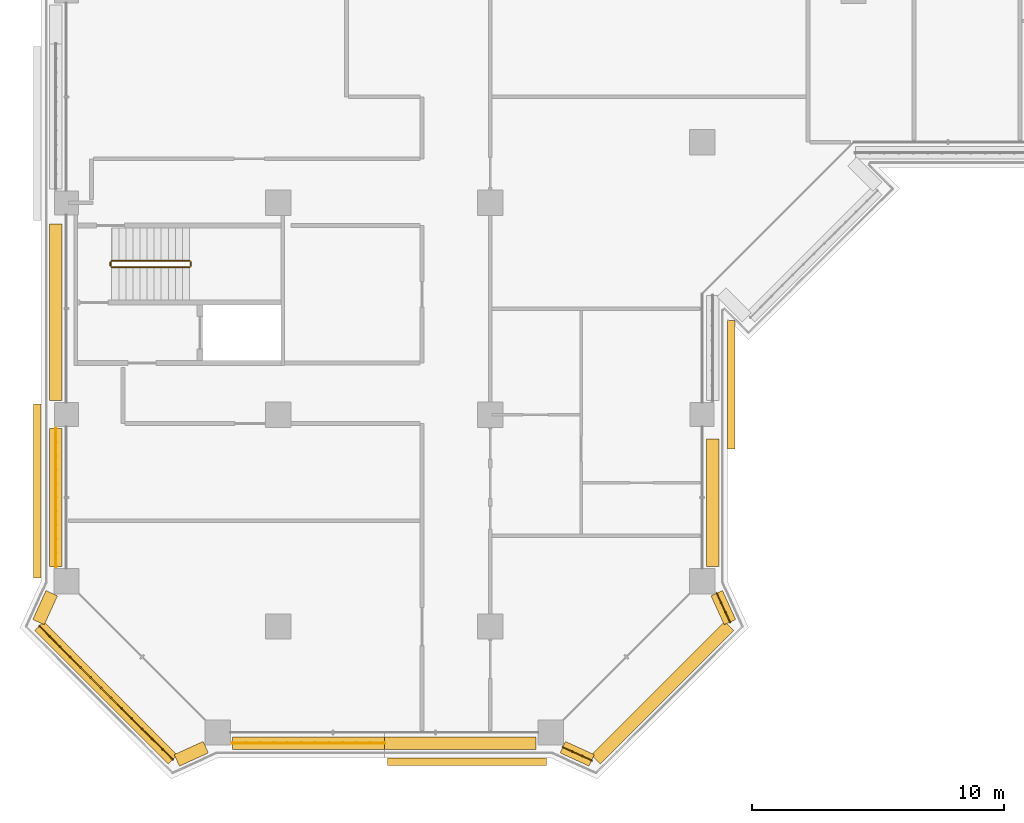
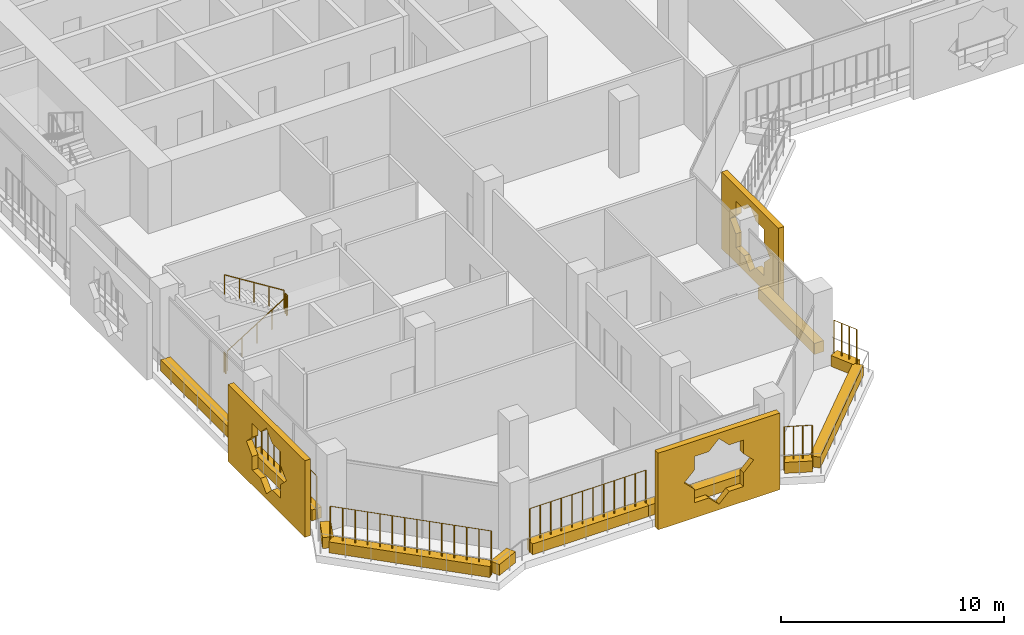
# One storey, part 16 of 22: 14 coverings, 9 railings.
"""IFC4 building model written with IfcOpenShell, lengths in metres."""

import ifcopenshell
import ifcopenshell.guid

model = None  # the IFC model being written
_history = None  # IfcOwnerHistory: only IFC2X3 demands one
_inside = {}  # id of a spatial element -> (the spatial element, [elements in it])
_under = {}  # id of a project, library or spatial element -> (it, [spatial elements below it])
_declared = {}  # id of a project -> (the project, [libraries it declares])
_typed = {}  # id of a type object -> (the type object, [elements of that type])
_made_of = {}  # id of a material, layer set ... -> (it, [elements and type objects made of it])


def new_model(schema):
    """Start an empty IFC model of exactly this schema.

    Asked for "IFC4X3", IfcOpenShell would pick the latest addendum, in which some entities
    have other attributes; the version numbers below select the first issue.
    IFC2X3 requires an IfcOwnerHistory on every rooted entity: one is made here for all.
    """
    global model, _history
    if schema == "IFC4X3":
        model = ifcopenshell.file(schema_version=(4, 3, 0, 0))
    else:
        model = ifcopenshell.file(schema=schema)
    _inside.clear()
    _under.clear()
    _declared.clear()
    _typed.clear()
    _made_of.clear()
    _history = None
    if model.schema == "IFC2X3":
        org = make("IfcOrganization", Name="unknown")
        user = make(
            "IfcPersonAndOrganization",
            ThePerson=make("IfcPerson", FamilyName="unknown"),
            TheOrganization=org,
        )
        app = make(
            "IfcApplication",
            ApplicationDeveloper=org,
            Version="unknown",
            ApplicationFullName="unknown",
            ApplicationIdentifier="unknown",
        )
        _history = make(
            "IfcOwnerHistory",
            OwningUser=user,
            OwningApplication=app,
            ChangeAction="ADDED",
            CreationDate=0,
        )
    return model


def make(cls, **values):
    """One entity of the class cls with the attributes given. An attribute that is None is left unset."""
    return model.create_entity(
        cls, **{name: value for name, value in values.items() if value is not None}
    )


def rooted(cls, **values):
    """An entity with a GlobalId (a new one), such as an element, a storey or a relation."""
    return make(cls, GlobalId=ifcopenshell.guid.new(), OwnerHistory=_history, **values)


def si_unit(unit_type, name, prefix=None):
    """IfcSIUnit, for example si_unit("LENGTHUNIT", "METRE", prefix="MILLI")."""
    return make("IfcSIUnit", UnitType=unit_type, Prefix=prefix, Name=name)


def assignment(units):
    """IfcUnitAssignment: the units of a project."""
    return None if units is None else make("IfcUnitAssignment", Units=units)


def point(xyz):
    """IfcCartesianPoint."""
    return None if xyz is None else make("IfcCartesianPoint", Coordinates=xyz)


def direction(xyz):
    """IfcDirection."""
    return None if xyz is None else make("IfcDirection", DirectionRatios=xyz)


def frame(location, z_axis=None, x_axis=None):
    """IfcAxis2Placement3D, a coordinate frame: its origin and axes. An axis left out is left unset."""
    return make(
        "IfcAxis2Placement3D",
        Location=point(location),
        Axis=direction(z_axis),
        RefDirection=direction(x_axis),
    )


def frame_2d(location, x_axis=None):
    """IfcAxis2Placement2D, a coordinate frame in the plane: its origin and x axis."""
    return make(
        "IfcAxis2Placement2D", Location=point(location), RefDirection=direction(x_axis)
    )


def origin():
    """The frame at (0, 0, 0) with its axes left unset."""
    return frame((0.0, 0.0, 0.0))


def origin_2d():
    """The frame at (0, 0) in the plane with its x axis left unset."""
    return frame_2d((0.0, 0.0))


def place(relative_to, where):
    """IfcLocalPlacement: puts the frame where relative to a parent placement (None: the world)."""
    return make(
        "IfcLocalPlacement", PlacementRelTo=relative_to, RelativePlacement=where
    )


def context(
    kind, dimensions, precision=None, world=None, true_north=None, identifier=None
):
    """IfcGeometricRepresentationContext, for example the 3D "Model" context."""
    return make(
        "IfcGeometricRepresentationContext",
        ContextIdentifier=identifier,
        ContextType=kind,
        CoordinateSpaceDimension=dimensions,
        Precision=precision,
        WorldCoordinateSystem=world,
        TrueNorth=true_north,
    )


def subcontext(parent, identifier, kind, view, scale=None):
    """IfcGeometricRepresentationSubContext, for example "Body" below "Model"."""
    return make(
        "IfcGeometricRepresentationSubContext",
        ContextIdentifier=identifier,
        ContextType=kind,
        ParentContext=parent,
        TargetScale=scale,
        TargetView=view,
    )


def project(units=None, contexts=None):
    """IfcProject with its units and contexts."""
    return rooted(
        "IfcProject",
        Name="project",
        RepresentationContexts=contexts,
        UnitsInContext=assignment(units),
    )


def spatial(cls, under=None, at=None, **own):
    """A site, building, storey or space (cls), placed at a placement, below another one or the project."""
    s = rooted(cls, ObjectPlacement=at, **own)
    if under is not None:
        _under.setdefault(under.id(), (under, []))[1].append(s)
    return s


def polyline(points):
    """IfcPolyline through the points."""
    return make("IfcPolyline", Points=[point(p) for p in points])


def profile(cls, at=None, kind="AREA", **sizes):
    """A parametric profile (cls). Its sizes go by their IFC names, for example OverallWidth=200.0."""
    return make(cls, ProfileType=kind, Position=at, **sizes)


def rectangle(**sizes):
    """IfcRectangleProfileDef."""
    return profile("IfcRectangleProfileDef", **sizes)


def circle(**sizes):
    """IfcCircleProfileDef."""
    return profile("IfcCircleProfileDef", **sizes)


def outline(outer, holes=None, kind="AREA"):
    """IfcArbitraryClosedProfileDef: a profile drawn as a closed curve; with holes, ...WithVoids."""
    if holes is None:
        return make("IfcArbitraryClosedProfileDef", ProfileType=kind, OuterCurve=outer)
    return make(
        "IfcArbitraryProfileDefWithVoids",
        ProfileType=kind,
        OuterCurve=outer,
        InnerCurves=holes,
    )


def extrude(swept, where, along, depth):
    """IfcExtrudedAreaSolid: the profile swept, set in the frame where, extruded along a direction by depth."""
    return make(
        "IfcExtrudedAreaSolid",
        SweptArea=swept,
        Position=where,
        ExtrudedDirection=direction(along),
        Depth=depth,
    )


def shape(context_of_items, identifier, shape_type, items):
    """IfcShapeRepresentation: the items that make up one representation, for example the "Body"."""
    return make(
        "IfcShapeRepresentation",
        ContextOfItems=context_of_items,
        RepresentationIdentifier=identifier,
        RepresentationType=shape_type,
        Items=items,
    )


def material(Name=None, Category=None):
    """IfcMaterial."""
    return make("IfcMaterial", Name=Name, Category=Category)


def material_profile(
    of_material, cross_section, Name=None, Category=None, Priority=None
):
    """IfcMaterialProfile: a cross section and its material."""
    return make(
        "IfcMaterialProfile",
        Name=Name,
        Material=of_material,
        Profile=cross_section,
        Priority=Priority,
        Category=Category,
    )


def profile_set(profiles, Name=None, composite=None):
    """IfcMaterialProfileSet."""
    return make(
        "IfcMaterialProfileSet",
        Name=Name,
        MaterialProfiles=profiles,
        CompositeProfile=composite,
    )


def made_of(thing, what):
    """Note that an element or type object is made of a material, layer set ...; save() writes the relation."""
    if what is not None:
        _made_of.setdefault(what.id(), (what, []))[1].append(thing)
    return thing


def type_object(cls, material=None, **own):
    """A type object (cls), such as IfcWallType, which elements share."""
    return made_of(rooted(cls, **own), material)


def element(
    cls,
    number,
    at=None,
    inside=None,
    cuts=None,
    type_object=None,
    material=None,
    context=None,
    identifier="Body",
    shape_type=None,
    held_by="IfcProductDefinitionShape",
    body=None,
    shapes=None,
    **own,
):
    """One element of the class cls, such as IfcWall. Its Tag is "e" and its number.

    at: its placement. inside: the storey or other place that contains it. cuts: it is an
    opening in that element (IfcRelVoidsElement). A single representation is given by context,
    identifier, shape_type and body (its items); several are given by shapes. held_by: the class
    of the entity that holds the representations. save() writes the other relations.
    """
    e = rooted(cls, Tag="e%d" % number, ObjectPlacement=at, **own)
    if body is not None:
        shapes = [shape(context, identifier, shape_type, body)]
    if shapes is not None:
        e.Representation = make(held_by, Representations=shapes)
    if inside is not None:
        _inside.setdefault(inside.id(), (inside, []))[1].append(e)
    if cuts is not None:
        rooted(
            "IfcRelVoidsElement", RelatingBuildingElement=cuts, RelatedOpeningElement=e
        )
    if type_object is not None:
        _typed.setdefault(type_object.id(), (type_object, []))[1].append(e)
    return made_of(e, material)


def aggregate(whole, parts):
    """IfcRelAggregates: a whole, such as a stair, and the parts it consists of."""
    return rooted("IfcRelAggregates", RelatingObject=whole, RelatedObjects=parts)


def save(model, path):
    """Write the relations noted so far, then the file.

    IfcRelAggregates (storeys below a building ...), IfcRelContainedInSpatialStructure (elements
    in a storey), IfcRelDefinesByType, IfcRelAssociatesMaterial and IfcRelDeclares: one each for
    every whole, place, type object, material and project.
    """
    for whole, parts in _under.values():
        aggregate(whole, parts)
    for where, things in _inside.values():
        rooted(
            "IfcRelContainedInSpatialStructure",
            RelatedElements=things,
            RelatingStructure=where,
        )
    for kind, things in _typed.values():
        rooted("IfcRelDefinesByType", RelatedObjects=things, RelatingType=kind)
    for what, things in _made_of.values():
        rooted("IfcRelAssociatesMaterial", RelatedObjects=things, RelatingMaterial=what)
    for by, libraries in _declared.values():
        rooted("IfcRelDeclares", RelatingContext=by, RelatedDefinitions=libraries)
    model.write(path)


model = new_model("IFC4")

# Units and contexts
model_context = context("Model", 3, precision=1e-05, world=origin(), true_north=direction((0.0, 1.0)))
body_context = subcontext(model_context, "Body", "Model", "MODEL_VIEW")
ifc_project = project(units=[si_unit("LENGTHUNIT", "METRE"), si_unit("AREAUNIT", "SQUARE_METRE"), si_unit("VOLUMEUNIT", "CUBIC_METRE"), si_unit("PLANEANGLEUNIT", "RADIAN"), si_unit("MASSUNIT", "GRAM", prefix="KILO")], contexts=[model_context])

# Site, building, storey
site_placement = place(None, origin())
site = spatial("IfcSite", under=ifc_project, at=site_placement, CompositionType="ELEMENT")
building_placement = place(site_placement, origin())
building = spatial("IfcBuilding", under=site, at=building_placement, Name="Kawkab Arch Medical Tower", CompositionType="ELEMENT")
storey_placement = place(building_placement, frame((0.0, 0.0, 183.60009765625)))
storey = spatial("IfcBuildingStorey", under=building, at=storey_placement, Name="L42", CompositionType="ELEMENT", Elevation=183.60009765625)

# Coverings
ifc_material_1 = material(Name="Bronze anodised aluminium mashrabiya panel, eight-point star pattern", Category="aluminium")
ifc_material_profile_1 = material_profile(ifc_material_1, outline(polyline([(-2.550048828125, -2.10009765625), (2.550048828125, -2.10009765625), (2.550048828125, 2.10009765625), (-2.550048828125, 2.10009765625), (-2.550048828125, -2.10009765625)]), holes=[polyline([(1.800048828125, 0.0), (1.272705078125, 0.527099609375), (1.272705078125, 1.272705078125), (0.527099609375, 1.272705078125), (0.0, 1.800048828125), (-0.527099609375, 1.272705078125), (-1.272705078125, 1.272705078125), (-1.272705078125, 0.527099609375), (-1.800048828125, 0.0), (-1.272705078125, -0.527099609375), (-1.272705078125, -1.272705078125), (-0.527099609375, -1.272705078125), (0.0, -1.800048828125), (0.527099609375, -1.272705078125), (1.272705078125, -1.272705078125), (1.272705078125, -0.527099609375), (1.800048828125, 0.0)])]), Name="Mashrabiya panel 5100x4200")
ifc_profile_set_1 = profile_set([ifc_material_profile_1], Name="Bronze anodised aluminium mashrabiya panel, eight-point star pattern")
covering_type_1 = type_object("IfcCoveringType", Name="Mashrabiya panel 5100 x 4200", PredefinedType="USERDEFINED", material=ifc_profile_set_1)
covering_1_placement = place(storey_placement, frame((26.199951171875, -40.807373046875, 1.699951171875), z_axis=(1.0, 0.0, 0.0), x_axis=(0.0, 1.0, 0.0)))
element("IfcCovering", 1, at=covering_1_placement, inside=storey, type_object=covering_type_1, Name="Mashrabiya panel L42.LOG-01-01.12", ObjectType="SCREEN", PredefinedType="USERDEFINED", context=body_context, shape_type="SweptSolid", body=[
    extrude(outline(polyline([(-2.550048828125, -2.10009765625), (2.550048828125, -2.10009765625), (2.550048828125, 2.10009765625), (-2.550048828125, 2.10009765625), (-2.550048828125, -2.10009765625)]), holes=[polyline([(1.800048828125, 0.0), (1.272705078125, 0.527099609375), (1.272705078125, 1.272705078125), (0.527099609375, 1.272705078125), (0.0, 1.800048828125), (-0.527099609375, 1.272705078125), (-1.272705078125, 1.272705078125), (-1.272705078125, 0.527099609375), (-1.800048828125, 0.0), (-1.272705078125, -0.527099609375), (-1.272705078125, -1.272705078125), (-0.527099609375, -1.272705078125), (0.0, -1.800048828125), (0.527099609375, -1.272705078125), (1.272705078125, -1.272705078125), (1.272705078125, -0.527099609375), (1.800048828125, 0.0)])]), origin(), (0.0, 0.0, 1.0), 0.300048828125),
])
ifc_material_2 = material(Name="Bronze anodised aluminium mashrabiya panel, eight-point star pattern", Category="aluminium")
ifc_material_profile_2 = material_profile(ifc_material_2, outline(polyline([(-3.14990234375, -2.10009765625), (3.14990234375, -2.10009765625), (3.14990234375, 2.10009765625), (-3.14990234375, 2.10009765625), (-3.14990234375, -2.10009765625)]), holes=[polyline([(1.800048828125, 0.0), (1.272705078125, 0.527099609375), (1.272705078125, 1.272705078125), (0.527099609375, 1.272705078125), (0.0, 1.800048828125), (-0.527099609375, 1.272705078125), (-1.272705078125, 1.272705078125), (-1.272705078125, 0.527099609375), (-1.800048828125, 0.0), (-1.272705078125, -0.527099609375), (-1.272705078125, -1.272705078125), (-0.527099609375, -1.272705078125), (0.0, -1.800048828125), (0.527099609375, -1.272705078125), (1.272705078125, -1.272705078125), (1.272705078125, -0.527099609375), (1.800048828125, 0.0)])]), Name="Mashrabiya panel 6300x4200")
ifc_profile_set_2 = profile_set([ifc_material_profile_2], Name="Bronze anodised aluminium mashrabiya panel, eight-point star pattern")
covering_type_2 = type_object("IfcCoveringType", Name="Mashrabiya panel 6300 x 4200", PredefinedType="USERDEFINED", material=ifc_profile_set_2)
covering_2_placement = place(storey_placement, frame((15.881103515625, -55.60009765625, 1.699951171875), z_axis=(0.0, -1.0, 0.0), x_axis=(1.0, 0.0, 0.0)))
element("IfcCovering", 2, at=covering_2_placement, inside=storey, type_object=covering_type_2, Name="Mashrabiya panel L42.LOG-01-01.1", ObjectType="SCREEN", PredefinedType="USERDEFINED", context=body_context, shape_type="SweptSolid", body=[
    extrude(outline(polyline([(-3.14990234375, -2.10009765625), (3.14990234375, -2.10009765625), (3.14990234375, 2.10009765625), (-3.14990234375, 2.10009765625), (-3.14990234375, -2.10009765625)]), holes=[polyline([(1.800048828125, 0.0), (1.272705078125, 0.527099609375), (1.272705078125, 1.272705078125), (0.527099609375, 1.272705078125), (0.0, 1.800048828125), (-0.527099609375, 1.272705078125), (-1.272705078125, 1.272705078125), (-1.272705078125, 0.527099609375), (-1.800048828125, 0.0), (-1.272705078125, -0.527099609375), (-1.272705078125, -1.272705078125), (-0.527099609375, -1.272705078125), (0.0, -1.800048828125), (0.527099609375, -1.272705078125), (1.272705078125, -1.272705078125), (1.272705078125, -0.527099609375), (1.800048828125, 0.0)])]), origin(), (0.0, 0.0, 1.0), 0.2998046875),
])
ifc_material_3 = material(Name="Bronze anodised aluminium mashrabiya panel, eight-point star pattern", Category="aluminium")
ifc_material_profile_3 = material_profile(ifc_material_3, outline(polyline([(-3.449951171875, -2.10009765625), (3.449951171875, -2.10009765625), (3.449951171875, 2.10009765625), (-3.449951171875, 2.10009765625), (-3.449951171875, -2.10009765625)]), holes=[polyline([(1.800048828125, 0.0), (1.272705078125, 0.527099609375), (1.272705078125, 1.272705078125), (0.527099609375, 1.272705078125), (0.0, 1.800048828125), (-0.527099609375, 1.272705078125), (-1.272705078125, 1.272705078125), (-1.272705078125, 0.527099609375), (-1.800048828125, 0.0), (-1.272705078125, -0.527099609375), (-1.272705078125, -1.272705078125), (-0.527099609375, -1.272705078125), (0.0, -1.800048828125), (0.527099609375, -1.272705078125), (1.272705078125, -1.272705078125), (1.272705078125, -0.527099609375), (1.800048828125, 0.0)])]), Name="Mashrabiya panel 6900x4200")
ifc_profile_set_3 = profile_set([ifc_material_profile_3], Name="Bronze anodised aluminium mashrabiya panel, eight-point star pattern")
covering_type_3 = type_object("IfcCoveringType", Name="Mashrabiya panel 6900 x 4200", PredefinedType="USERDEFINED", material=ifc_profile_set_3)
covering_3_placement = place(storey_placement, frame((-1.0, -45.03173828125, 1.699951171875), z_axis=(-1.0, 0.0, 0.0), x_axis=(0.0, -1.0, 0.0)))
element("IfcCovering", 3, at=covering_3_placement, inside=storey, type_object=covering_type_3, Name="Mashrabiya panel L42.LOG-01-01.2", ObjectType="SCREEN", PredefinedType="USERDEFINED", context=body_context, shape_type="SweptSolid", body=[
    extrude(outline(polyline([(-3.449951171875, -2.10009765625), (3.449951171875, -2.10009765625), (3.449951171875, 2.10009765625), (-3.449951171875, 2.10009765625), (-3.449951171875, -2.10009765625)]), holes=[polyline([(1.800048828125, 0.0), (1.272705078125, 0.527099609375), (1.272705078125, 1.272705078125), (0.527099609375, 1.272705078125), (0.0, 1.800048828125), (-0.527099609375, 1.272705078125), (-1.272705078125, 1.272705078125), (-1.272705078125, 0.527099609375), (-1.800048828125, 0.0), (-1.272705078125, -0.527099609375), (-1.272705078125, -1.272705078125), (-0.527099609375, -1.272705078125), (0.0, -1.800048828125), (0.527099609375, -1.272705078125), (1.272705078125, -1.272705078125), (1.272705078125, -0.527099609375), (1.800048828125, 0.0)])]), origin(), (0.0, 0.0, 1.0), 0.300048828125),
])
ifc_material_4 = material(Name="Planting soil in a precast trough", Category="concrete")
ifc_material_profile_4 = material_profile(ifc_material_4, rectangle(XDim=0.5, YDim=0.60009765625, at=origin_2d()), Name="Trough 500x600")
ifc_profile_set_4 = profile_set([ifc_material_profile_4], Name="Planting soil in a precast trough")
covering_type_4 = type_object("IfcCoveringType", Name="Planter trough 500 x 600", PredefinedType="USERDEFINED", material=ifc_profile_set_4)
covering_4_placement = place(storey_placement, frame((20.821044921875, -55.701904296875, 0.2998046875), z_axis=(-0.909780461959, 0.415089762627, 0.0), x_axis=(-0.415089762627, -0.909780461959, 0.0)))
element("IfcCovering", 4, at=covering_4_placement, inside=storey, type_object=covering_type_4, Name="Planter L42.LOG-01-01.1", ObjectType="PLANTER", PredefinedType="USERDEFINED", context=body_context, shape_type="SweptSolid", body=[
    extrude(rectangle(XDim=0.5, YDim=0.60009765625, at=origin_2d()), origin(), (0.0, 0.0, 1.0), 1.257568359375),
])
for number, where, z_axis, x_axis, name in (
    (5, (18.6201171875, -55.02001953125, 0.2998046875), (-1.0, 0.0, 0.0), (0.0, -1.0, 0.0), "Planter L42.LOG-01-01.2"),
    (6, (12.60009765625, -55.02001953125, 0.2998046875), (-1.0, 0.0, 0.0), (0.0, -1.0, 0.0), "Planter L42.LOG-01-01.3"),
):
    element("IfcCovering", number, at=place(storey_placement, frame(where, z_axis=z_axis, x_axis=x_axis)), inside=storey, type_object=covering_type_4, Name=name, ObjectType="PLANTER", PredefinedType="USERDEFINED", context=body_context, shape_type="SweptSolid", body=[
        extrude(rectangle(XDim=0.5, YDim=0.60009765625, at=origin_2d()), origin(), (0.0, 0.0, 1.0), 6.02001953125),
    ])
covering_5_placement = place(storey_placement, frame((5.52294921875, -55.179931640625, 0.2998046875), z_axis=(-0.909780461959, -0.415089762627, 0.0), x_axis=(0.415089762627, -0.909780461959, 0.0)))
element("IfcCovering", 7, at=covering_5_placement, inside=storey, type_object=covering_type_4, Name="Planter L42.LOG-01-01.4", ObjectType="PLANTER", PredefinedType="USERDEFINED", context=body_context, shape_type="SweptSolid", body=[
    extrude(rectangle(XDim=0.5, YDim=0.60009765625, at=origin_2d()), origin(), (0.0, 0.0, 1.0), 1.257568359375),
])
covering_6_placement = place(storey_placement, frame((4.217041015625, -55.673095703125, 0.2998046875), z_axis=(-0.707106781187, 0.707106781187, 0.0), x_axis=(-0.707106781187, -0.707106781187, 0.0)))
element("IfcCovering", 8, at=covering_6_placement, inside=storey, type_object=covering_type_4, Name="Planter L42.LOG-01-01.5", ObjectType="PLANTER", PredefinedType="USERDEFINED", context=body_context, shape_type="SweptSolid", body=[
    extrude(rectangle(XDim=0.5, YDim=0.60009765625, at=origin_2d()), origin(), (0.0, 0.0, 1.0), 7.481201171875),
])
covering_7_placement = place(storey_placement, frame((-1.10205078125, -50.220947265625, 0.2998046875), z_axis=(0.415089762627, 0.909780461959, 0.0), x_axis=(-0.909780461959, 0.415089762627, 0.0)))
element("IfcCovering", 9, at=covering_7_placement, inside=storey, type_object=covering_type_4, Name="Planter L42.LOG-01-01.6", ObjectType="PLANTER", PredefinedType="USERDEFINED", context=body_context, shape_type="SweptSolid", body=[
    extrude(rectangle(XDim=0.5, YDim=0.60009765625, at=origin_2d()), origin(), (0.0, 0.0, 1.0), 1.257568359375),
])
covering_8_placement = place(storey_placement, frame((-0.419921875, -48.02001953125, 0.2998046875), z_axis=(0.0, 1.0, 0.0), x_axis=(-1.0, 0.0, 0.0)))
element("IfcCovering", 10, at=covering_8_placement, inside=storey, type_object=covering_type_4, Name="Planter L42.LOG-01-01.7", ObjectType="PLANTER", PredefinedType="USERDEFINED", context=body_context, shape_type="SweptSolid", body=[
    extrude(rectangle(XDim=0.5, YDim=0.60009765625, at=origin_2d()), origin(), (0.0, 0.0, 1.0), 5.465087890625),
])
covering_9_placement = place(storey_placement, frame((-0.419921875, -41.445068359375, 0.2998046875), z_axis=(0.0, 1.0, 0.0), x_axis=(-1.0, 0.0, 0.0)))
element("IfcCovering", 11, at=covering_9_placement, inside=storey, type_object=covering_type_4, Name="Planter L42.LOG-01-01.8", ObjectType="PLANTER", PredefinedType="USERDEFINED", context=body_context, shape_type="SweptSolid", body=[
    extrude(rectangle(XDim=0.5, YDim=0.60009765625, at=origin_2d()), origin(), (0.0, 0.0, 1.0), 7.003173828125),
])
covering_10_placement = place(storey_placement, frame((25.6201171875, -42.955078125, 0.2998046875), z_axis=(0.0, -1.0, 0.0), x_axis=(1.0, 0.0, 0.0)))
element("IfcCovering", 12, at=covering_10_placement, inside=storey, type_object=covering_type_4, Name="Planter L42.LOG-01-01.42", ObjectType="PLANTER", PredefinedType="USERDEFINED", context=body_context, shape_type="SweptSolid", body=[
    extrude(rectangle(XDim=0.5, YDim=0.60009765625, at=origin_2d()), origin(), (0.0, 0.0, 1.0), 5.06494140625),
])
covering_11_placement = place(storey_placement, frame((25.780029296875, -49.076904296875, 0.2998046875), z_axis=(0.415089762627, -0.909780461959, 0.0), x_axis=(0.909780461959, 0.415089762627, 0.0)))
element("IfcCovering", 13, at=covering_11_placement, inside=storey, type_object=covering_type_4, Name="Planter L42.LOG-01-01.43", ObjectType="PLANTER", PredefinedType="USERDEFINED", context=body_context, shape_type="SweptSolid", body=[
    extrude(rectangle(XDim=0.5, YDim=0.60009765625, at=origin_2d()), origin(), (0.0, 0.0, 1.0), 1.257568359375),
])
covering_12_placement = place(storey_placement, frame((26.27294921875, -50.383056640625, 0.2998046875), z_axis=(-0.707106781187, -0.707106781187, 0.0), x_axis=(0.707106781187, -0.707106781187, 0.0)))
element("IfcCovering", 14, at=covering_12_placement, inside=storey, type_object=covering_type_4, Name="Planter L42.LOG-01-01.44", ObjectType="PLANTER", PredefinedType="USERDEFINED", context=body_context, shape_type="SweptSolid", body=[
    extrude(rectangle(XDim=0.5, YDim=0.60009765625, at=origin_2d()), origin(), (0.0, 0.0, 1.0), 7.481201171875),
])

# Railings
ifc_material_5 = material(Name="Bronze anodised aluminium trellis for climbing plants", Category="aluminium")
railing_type_1 = type_object("IfcRailingType", Name="Planting trellis 2400", PredefinedType="USERDEFINED", material=ifc_material_5)
railing_1_placement = place(storey_placement, frame((20.821044921875, -55.701904296875, 0.0)))
element("IfcRailing", 15, at=railing_1_placement, inside=storey, type_object=railing_type_1, Name="Planting trellis L42.LOG-01-01.1", ObjectType="TRELLIS", PredefinedType="USERDEFINED", context=body_context, shape_type="SweptSolid", body=[
    extrude(circle(Radius=0.01513671875, at=origin_2d()), frame((0.0, 0.0, 2.384765625), z_axis=(-0.909780461959, 0.415089762627, 0.0), x_axis=(-0.415089762627, -0.909780461959, 0.0)), (0.0, 0.0, 1.0), 1.257568359375),
    extrude(circle(Radius=0.030029296875, at=origin_2d()), origin(), (0.0, 0.0, 1.0), 2.369873046875),
    extrude(circle(Radius=0.030029296875, at=origin_2d()), frame((-0.38134765625, 0.174072265625, 0.0)), (0.0, 0.0, 1.0), 2.369873046875),
    extrude(circle(Radius=0.030029296875, at=origin_2d()), frame((-0.7626953125, 0.347900390625, 0.0)), (0.0, 0.0, 1.0), 2.369873046875),
    extrude(circle(Radius=0.030029296875, at=origin_2d()), frame((-1.14404296875, 0.52197265625, 0.0)), (0.0, 0.0, 1.0), 2.369873046875),
])
railing_2_placement = place(storey_placement, frame((12.60009765625, -55.02001953125, 0.0)))
element("IfcRailing", 16, at=railing_2_placement, inside=storey, type_object=railing_type_1, Name="Planting trellis L42.LOG-01-01.3", ObjectType="TRELLIS", PredefinedType="USERDEFINED", context=body_context, shape_type="SweptSolid", body=[
    extrude(circle(Radius=0.01513671875, at=origin_2d()), frame((0.0, 0.0, 2.384765625), z_axis=(-1.0, 0.0, 0.0), x_axis=(0.0, -1.0, 0.0)), (0.0, 0.0, 1.0), 6.02001953125),
    extrude(circle(Radius=0.030029296875, at=origin_2d()), origin(), (0.0, 0.0, 1.0), 2.369873046875),
    extrude(circle(Radius=0.030029296875, at=origin_2d()), frame((-0.54736328125, 0.0, 0.0)), (0.0, 0.0, 1.0), 2.369873046875),
    extrude(circle(Radius=0.030029296875, at=origin_2d()), frame((-1.094482421875, 0.0, 0.0)), (0.0, 0.0, 1.0), 2.369873046875),
    extrude(circle(Radius=0.030029296875, at=origin_2d()), frame((-1.641845703125, 0.0, 0.0)), (0.0, 0.0, 1.0), 2.369873046875),
    extrude(circle(Radius=0.030029296875, at=origin_2d()), frame((-2.189208984375, 0.0, 0.0)), (0.0, 0.0, 1.0), 2.369873046875),
    extrude(circle(Radius=0.030029296875, at=origin_2d()), frame((-2.736328125, 0.0, 0.0)), (0.0, 0.0, 1.0), 2.369873046875),
    extrude(circle(Radius=0.030029296875, at=origin_2d()), frame((-3.28369140625, 0.0, 0.0)), (0.0, 0.0, 1.0), 2.369873046875),
    extrude(circle(Radius=0.030029296875, at=origin_2d()), frame((-3.830810546875, 0.0, 0.0)), (0.0, 0.0, 1.0), 2.369873046875),
    extrude(circle(Radius=0.030029296875, at=origin_2d()), frame((-4.378173828125, 0.0, 0.0)), (0.0, 0.0, 1.0), 2.369873046875),
    extrude(circle(Radius=0.030029296875, at=origin_2d()), frame((-4.925537109375, 0.0, 0.0)), (0.0, 0.0, 1.0), 2.369873046875),
    extrude(circle(Radius=0.030029296875, at=origin_2d()), frame((-5.47265625, 0.0, 0.0)), (0.0, 0.0, 1.0), 2.369873046875),
    extrude(circle(Radius=0.030029296875, at=origin_2d()), frame((-6.02001953125, 0.0, 0.0)), (0.0, 0.0, 1.0), 2.369873046875),
])
railing_3_placement = place(storey_placement, frame((4.217041015625, -55.673095703125, 0.0)))
element("IfcRailing", 17, at=railing_3_placement, inside=storey, type_object=railing_type_1, Name="Planting trellis L42.LOG-01-01.5", ObjectType="TRELLIS", PredefinedType="USERDEFINED", context=body_context, shape_type="SweptSolid", body=[
    extrude(circle(Radius=0.01513671875, at=origin_2d()), frame((0.0, 0.0, 2.384765625), z_axis=(-0.707106781187, 0.707106781187, 0.0), x_axis=(-0.707106781187, -0.707106781187, 0.0)), (0.0, 0.0, 1.0), 7.481201171875),
    extrude(circle(Radius=0.030029296875, at=origin_2d()), origin(), (0.0, 0.0, 1.0), 2.369873046875),
    extrude(circle(Radius=0.030029296875, at=origin_2d()), frame((-0.406982421875, 0.406982421875, 0.0)), (0.0, 0.0, 1.0), 2.369873046875),
    extrude(circle(Radius=0.030029296875, at=origin_2d()), frame((-0.81396484375, 0.81396484375, 0.0)), (0.0, 0.0, 1.0), 2.369873046875),
    extrude(circle(Radius=0.030029296875, at=origin_2d()), frame((-1.220703125, 1.220703125, 0.0)), (0.0, 0.0, 1.0), 2.369873046875),
    extrude(circle(Radius=0.030029296875, at=origin_2d()), frame((-1.627685546875, 1.627685546875, 0.0)), (0.0, 0.0, 1.0), 2.369873046875),
    extrude(circle(Radius=0.030029296875, at=origin_2d()), frame((-2.03466796875, 2.03466796875, 0.0)), (0.0, 0.0, 1.0), 2.369873046875),
    extrude(circle(Radius=0.030029296875, at=origin_2d()), frame((-2.441650390625, 2.441650390625, 0.0)), (0.0, 0.0, 1.0), 2.369873046875),
    extrude(circle(Radius=0.030029296875, at=origin_2d()), frame((-2.848388671875, 2.848388671875, 0.0)), (0.0, 0.0, 1.0), 2.369873046875),
    extrude(circle(Radius=0.030029296875, at=origin_2d()), frame((-3.25537109375, 3.25537109375, 0.0)), (0.0, 0.0, 1.0), 2.369873046875),
    extrude(circle(Radius=0.030029296875, at=origin_2d()), frame((-3.662353515625, 3.662353515625, 0.0)), (0.0, 0.0, 1.0), 2.369873046875),
    extrude(circle(Radius=0.030029296875, at=origin_2d()), frame((-4.0693359375, 4.0693359375, 0.0)), (0.0, 0.0, 1.0), 2.369873046875),
    extrude(circle(Radius=0.030029296875, at=origin_2d()), frame((-4.47607421875, 4.47607421875, 0.0)), (0.0, 0.0, 1.0), 2.369873046875),
    extrude(circle(Radius=0.030029296875, at=origin_2d()), frame((-4.883056640625, 4.883056640625, 0.0)), (0.0, 0.0, 1.0), 2.369873046875),
    extrude(circle(Radius=0.030029296875, at=origin_2d()), frame((-5.2900390625, 5.2900390625, 0.0)), (0.0, 0.0, 1.0), 2.369873046875),
])
railing_4_placement = place(storey_placement, frame((-0.419921875, -48.02001953125, 0.0)))
element("IfcRailing", 18, at=railing_4_placement, inside=storey, type_object=railing_type_1, Name="Planting trellis L42.LOG-01-01.7", ObjectType="TRELLIS", PredefinedType="USERDEFINED", context=body_context, shape_type="SweptSolid", body=[
    extrude(circle(Radius=0.01513671875, at=origin_2d()), frame((0.0, 0.0, 2.384765625), z_axis=(0.0, 1.0, 0.0), x_axis=(-1.0, 0.0, 0.0)), (0.0, 0.0, 1.0), 5.465087890625),
    extrude(circle(Radius=0.030029296875, at=origin_2d()), origin(), (0.0, 0.0, 1.0), 2.369873046875),
    extrude(circle(Radius=0.030029296875, at=origin_2d()), frame((0.0, 0.54638671875, 0.0)), (0.0, 0.0, 1.0), 2.369873046875),
    extrude(circle(Radius=0.030029296875, at=origin_2d()), frame((0.0, 1.093017578125, 0.0)), (0.0, 0.0, 1.0), 2.369873046875),
    extrude(circle(Radius=0.030029296875, at=origin_2d()), frame((0.0, 1.6396484375, 0.0)), (0.0, 0.0, 1.0), 2.369873046875),
    extrude(circle(Radius=0.030029296875, at=origin_2d()), frame((0.0, 2.18603515625, 0.0)), (0.0, 0.0, 1.0), 2.369873046875),
    extrude(circle(Radius=0.030029296875, at=origin_2d()), frame((0.0, 2.732421875, 0.0)), (0.0, 0.0, 1.0), 2.369873046875),
    extrude(circle(Radius=0.030029296875, at=origin_2d()), frame((0.0, 3.279052734375, 0.0)), (0.0, 0.0, 1.0), 2.369873046875),
    extrude(circle(Radius=0.030029296875, at=origin_2d()), frame((0.0, 3.825439453125, 0.0)), (0.0, 0.0, 1.0), 2.369873046875),
    extrude(circle(Radius=0.030029296875, at=origin_2d()), frame((0.0, 4.3720703125, 0.0)), (0.0, 0.0, 1.0), 2.369873046875),
    extrude(circle(Radius=0.030029296875, at=origin_2d()), frame((0.0, 4.91845703125, 0.0)), (0.0, 0.0, 1.0), 2.369873046875),
    extrude(circle(Radius=0.030029296875, at=origin_2d()), frame((0.0, 5.465087890625, 0.0)), (0.0, 0.0, 1.0), 2.369873046875),
])
railing_5_placement = place(storey_placement, frame((25.780029296875, -49.076904296875, 0.0)))
element("IfcRailing", 19, at=railing_5_placement, inside=storey, type_object=railing_type_1, Name="Planting trellis L42.LOG-01-01.43", ObjectType="TRELLIS", PredefinedType="USERDEFINED", context=body_context, shape_type="SweptSolid", body=[
    extrude(circle(Radius=0.01513671875, at=origin_2d()), frame((0.0, 0.0, 2.384765625), z_axis=(0.415089762627, -0.909780461959, 0.0), x_axis=(0.909780461959, 0.415089762627, 0.0)), (0.0, 0.0, 1.0), 1.257568359375),
    extrude(circle(Radius=0.030029296875, at=origin_2d()), origin(), (0.0, 0.0, 1.0), 2.369873046875),
    extrude(circle(Radius=0.030029296875, at=origin_2d()), frame((0.174072265625, -0.38134765625, 0.0)), (0.0, 0.0, 1.0), 2.369873046875),
    extrude(circle(Radius=0.030029296875, at=origin_2d()), frame((0.347900390625, -0.7626953125, 0.0)), (0.0, 0.0, 1.0), 2.369873046875),
    extrude(circle(Radius=0.030029296875, at=origin_2d()), frame((0.52197265625, -1.14404296875, 0.0)), (0.0, 0.0, 1.0), 2.369873046875),
])
ifc_material_6 = material(Name="Stainless steel", Category="steel")
railing_type_2 = type_object("IfcRailingType", Name="Stair guard 1100", PredefinedType="GUARDRAIL", material=ifc_material_6)
railing_6_placement = place(storey_placement, frame((1.800048828125, -36.14990234375, 0.1748046875)))
element("IfcRailing", 20, at=railing_6_placement, inside=storey, type_object=railing_type_2, Name="L42 ST6 stair guard 1", PredefinedType="GUARDRAIL", context=body_context, shape_type="SweptSolid", body=[
    extrude(circle(Radius=0.02392578125, at=origin_2d()), frame((0.0, 0.0, 1.076171875), z_axis=(0.847979421464, 0.0, 0.530029150871), x_axis=(0.0, 1.0, 0.0)), (0.0, 0.0, 1.0), 3.632080078125),
    extrude(circle(Radius=0.02099609375, at=origin_2d()), origin(), (0.0, 0.0, 1.0), 1.052001953125),
    extrude(circle(Radius=0.02099609375, at=origin_2d()), frame((0.77001953125, 0.0, 0.481201171875)), (0.0, 0.0, 1.0), 1.052001953125),
    extrude(circle(Radius=0.02099609375, at=origin_2d()), frame((1.5400390625, 0.0, 0.96240234375)), (0.0, 0.0, 1.0), 1.052001953125),
    extrude(circle(Radius=0.02099609375, at=origin_2d()), frame((2.309814453125, 0.0, 1.44384765625)), (0.0, 0.0, 1.0), 1.052001953125),
    extrude(circle(Radius=0.02099609375, at=origin_2d()), frame((3.079833984375, 0.0, 1.925048828125)), (0.0, 0.0, 1.0), 1.052001953125),
])
railing_7_placement = place(storey_placement, frame((4.929931640625, -36.10009765625, 2.099853515625)))
element("IfcRailing", 21, at=railing_7_placement, inside=storey, type_object=railing_type_2, Name="L42 ST6 stair guard 2", PredefinedType="GUARDRAIL", context=body_context, shape_type="SweptSolid", body=[
    extrude(circle(Radius=0.02392578125, at=origin_2d()), frame((0.0, 0.0, 1.076171875), z_axis=(0.0, 1.0, 0.0), x_axis=(-1.0, 0.0, 0.0)), (0.0, 0.0, 1.0), 0.150146484375),
    extrude(circle(Radius=0.02099609375, at=origin_2d()), origin(), (0.0, 0.0, 1.0), 1.052001953125),
    extrude(circle(Radius=0.02099609375, at=origin_2d()), frame((0.0, 0.150146484375, 0.0)), (0.0, 0.0, 1.0), 1.052001953125),
])
railing_8_placement = place(storey_placement, frame((4.8798828125, -35.89990234375, 2.27490234375)))
element("IfcRailing", 22, at=railing_8_placement, inside=storey, type_object=railing_type_2, Name="L42 ST6 stair guard 3", PredefinedType="GUARDRAIL", context=body_context, shape_type="SweptSolid", body=[
    extrude(circle(Radius=0.02392578125, at=origin_2d()), frame((0.0, 0.0, 1.076171875), z_axis=(-0.847979421464, 0.0, 0.530029150871), x_axis=(0.0, -1.0, 0.0)), (0.0, 0.0, 1.0), 3.632080078125),
    extrude(circle(Radius=0.02099609375, at=origin_2d()), origin(), (0.0, 0.0, 1.0), 1.052001953125),
    extrude(circle(Radius=0.02099609375, at=origin_2d()), frame((-0.77001953125, 0.0, 0.481201171875)), (0.0, 0.0, 1.0), 1.052001953125),
    extrude(circle(Radius=0.02099609375, at=origin_2d()), frame((-1.5400390625, 0.0, 0.96240234375)), (0.0, 0.0, 1.0), 1.052001953125),
    extrude(circle(Radius=0.02099609375, at=origin_2d()), frame((-2.309814453125, 0.0, 1.44384765625)), (0.0, 0.0, 1.0), 1.052001953125),
    extrude(circle(Radius=0.02099609375, at=origin_2d()), frame((-3.079833984375, 0.0, 1.925048828125)), (0.0, 0.0, 1.0), 1.052001953125),
])
railing_9_placement = place(storey_placement, frame((1.75, -36.10009765625, 0.0)))
element("IfcRailing", 23, at=railing_9_placement, inside=storey, type_object=railing_type_2, Name="L42 ST6 stair guard 4", PredefinedType="GUARDRAIL", context=body_context, shape_type="SweptSolid", body=[
    extrude(circle(Radius=0.02392578125, at=origin_2d()), frame((0.0, 0.0, 1.076171875), z_axis=(0.0, 1.0, 0.0), x_axis=(-1.0, 0.0, 0.0)), (0.0, 0.0, 1.0), 0.150146484375),
    extrude(circle(Radius=0.02099609375, at=origin_2d()), origin(), (0.0, 0.0, 1.0), 1.052001953125),
    extrude(circle(Radius=0.02099609375, at=origin_2d()), frame((0.0, 0.150146484375, 0.0)), (0.0, 0.0, 1.0), 1.052001953125),
])

save(model, "model.ifc")
